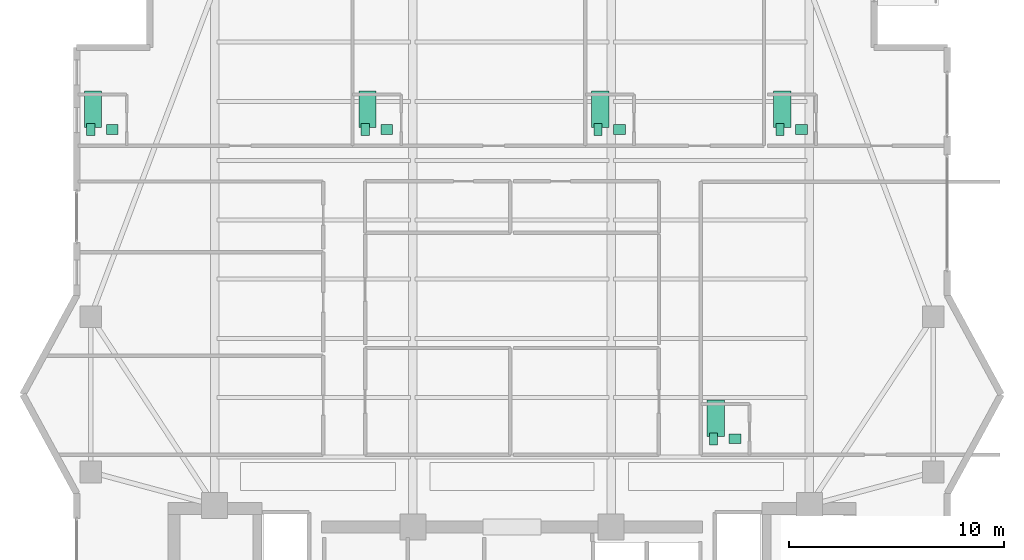
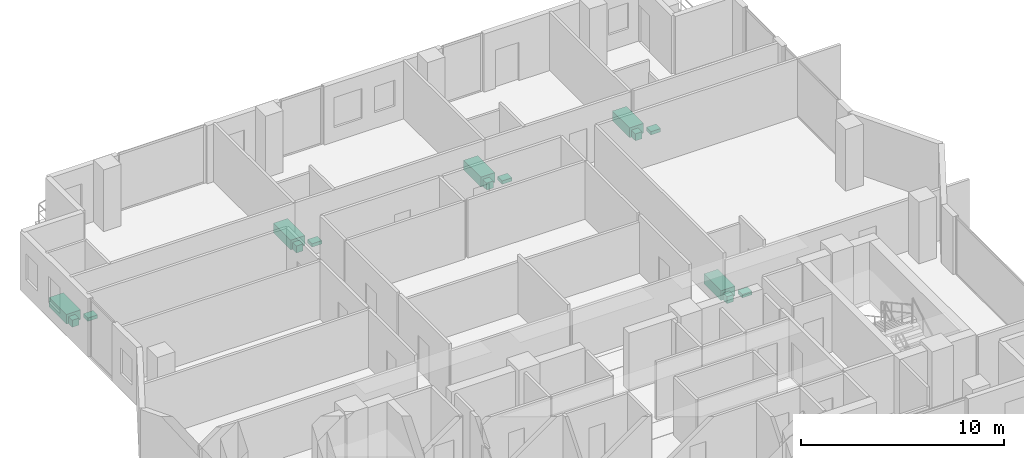
# One storey, part 23 of 23: 15 sanitary terminals.
"""IFC4 building model written with IfcOpenShell, lengths in metres."""

from ifc_helpers import new_model, si_unit, direction, frame, origin, origin_2d, place, context, subcontext, project, spatial, rectangle, extrude, material, type_object, element, save


model = new_model("IFC4")

# Units and contexts
model_context = context("Model", 3, precision=1e-05, world=origin(), true_north=direction((0.0, 1.0)))
body_context = subcontext(model_context, "Body", "Model", "MODEL_VIEW")
ifc_project = project(units=[si_unit("LENGTHUNIT", "METRE"), si_unit("AREAUNIT", "SQUARE_METRE"), si_unit("VOLUMEUNIT", "CUBIC_METRE"), si_unit("PLANEANGLEUNIT", "RADIAN"), si_unit("MASSUNIT", "GRAM", prefix="KILO")], contexts=[model_context])

# Site, building, storey
site_placement = place(None, origin())
site = spatial("IfcSite", under=ifc_project, at=site_placement, CompositionType="ELEMENT")
building_placement = place(site_placement, origin())
building = spatial("IfcBuilding", under=site, at=building_placement, Name="Zuhayl Quay Hotel", CompositionType="ELEMENT")
storey_placement = place(building_placement, frame((0.0, 0.0, 265.550048828125)))
storey = spatial("IfcBuildingStorey", under=building, at=storey_placement, Name="L67", CompositionType="ELEMENT", Elevation=265.550048828125)

# Sanitary terminals
ifc_material = material(Name="Vitreous Porcelain Sanitaryware")
sanitary_terminal_type_1 = type_object("IfcSanitaryTerminalType", Name="SAN_BASIN", PredefinedType="WASHHANDBASIN", material=ifc_material)
for number, where, z_axis, x_axis, name in (
    (1, (-18.550048828125, 31.7900390625, 0.0), (0.0, 0.0, 1.0), (1.0, 0.0, 0.0), "L67 Sanitary Fixture WASHHANDBASIN"),
    (2, (-5.81005859375, 31.7900390625, 0.0), (0.0, 0.0, 1.0), (1.0, 0.0, 0.0), "L67 Sanitary Fixture WASHHANDBASIN"),
    (3, (4.989990234375, 31.7900390625, 0.0), (0.0, 0.0, 1.0), (1.0, 0.0, 0.0), "L67 Sanitary Fixture WASHHANDBASIN"),
    (4, (13.43994140625, 31.7900390625, 0.0), (0.0, 0.0, 1.0), (1.0, 0.0, 0.0), "L67 Sanitary Fixture WASHHANDBASIN"),
    (5, (10.35009765625, 17.43994140625, 0.0), (0.0, 0.0, 1.0), (1.0, 0.0, 0.0), "L67 Sanitary Fixture WASHHANDBASIN"),
):
    element("IfcSanitaryTerminal", number, at=place(storey_placement, frame(where, z_axis=z_axis, x_axis=x_axis)), inside=storey, type_object=sanitary_terminal_type_1, Name=name, PredefinedType="WASHHANDBASIN", context=body_context, shape_type="SweptSolid", body=[
        extrude(rectangle(XDim=0.550048828125, YDim=0.449951171875, at=origin_2d()), origin(), (0.0, 0.0, 1.0), 0.199951171875),
    ])
sanitary_terminal_type_2 = type_object("IfcSanitaryTerminalType", Name="SAN_BATH", PredefinedType="BATH", material=ifc_material)
for number, where, z_axis, x_axis, name in (
    (6, (-19.449951171875, 32.739990234375, 0.0), (0.0, 0.0, 1.0), (1.0, 0.0, 0.0), "L67 Sanitary Fixture BATH"),
    (7, (-6.7099609375, 32.739990234375, 0.0), (0.0, 0.0, 1.0), (1.0, 0.0, 0.0), "L67 Sanitary Fixture BATH"),
    (8, (4.090087890625, 32.739990234375, 0.0), (0.0, 0.0, 1.0), (1.0, 0.0, 0.0), "L67 Sanitary Fixture BATH"),
    (9, (12.5400390625, 32.739990234375, 0.0), (0.0, 0.0, 1.0), (1.0, 0.0, 0.0), "L67 Sanitary Fixture BATH"),
    (10, (9.449951171875, 18.389892578125, 0.0), (0.0, 0.0, 1.0), (1.0, 0.0, 0.0), "L67 Sanitary Fixture BATH"),
):
    element("IfcSanitaryTerminal", number, at=place(storey_placement, frame(where, z_axis=z_axis, x_axis=x_axis)), inside=storey, type_object=sanitary_terminal_type_2, Name=name, PredefinedType="BATH", context=body_context, shape_type="SweptSolid", body=[
        extrude(rectangle(XDim=0.800048828125, YDim=1.699951171875, at=origin_2d()), origin(), (0.0, 0.0, 1.0), 0.580078125),
    ])
sanitary_terminal_type_3 = type_object("IfcSanitaryTerminalType", Name="SAN_WC", PredefinedType="TOILETPAN", material=ifc_material)
for number, where, z_axis, x_axis, name in (
    (11, (-19.550048828125, 31.7900390625, 0.0), (0.0, 0.0, 1.0), (1.0, 0.0, 0.0), "L67 Sanitary Fixture TOILETPAN"),
    (12, (-6.81005859375, 31.7900390625, 0.0), (0.0, 0.0, 1.0), (1.0, 0.0, 0.0), "L67 Sanitary Fixture TOILETPAN"),
    (13, (3.989990234375, 31.7900390625, 0.0), (0.0, 0.0, 1.0), (1.0, 0.0, 0.0), "L67 Sanitary Fixture TOILETPAN"),
    (14, (12.43994140625, 31.7900390625, 0.0), (0.0, 0.0, 1.0), (1.0, 0.0, 0.0), "L67 Sanitary Fixture TOILETPAN"),
    (15, (9.35009765625, 17.43994140625, 0.0), (0.0, 0.0, 1.0), (1.0, 0.0, 0.0), "L67 Sanitary Fixture TOILETPAN"),
):
    element("IfcSanitaryTerminal", number, at=place(storey_placement, frame(where, z_axis=z_axis, x_axis=x_axis)), inside=storey, type_object=sanitary_terminal_type_3, Name=name, PredefinedType="TOILETPAN", context=body_context, shape_type="SweptSolid", body=[
        extrude(rectangle(XDim=0.3798828125, YDim=0.56005859375, at=origin_2d()), origin(), (0.0, 0.0, 1.0), 0.419921875),
    ])

save(model, "model.ifc")
